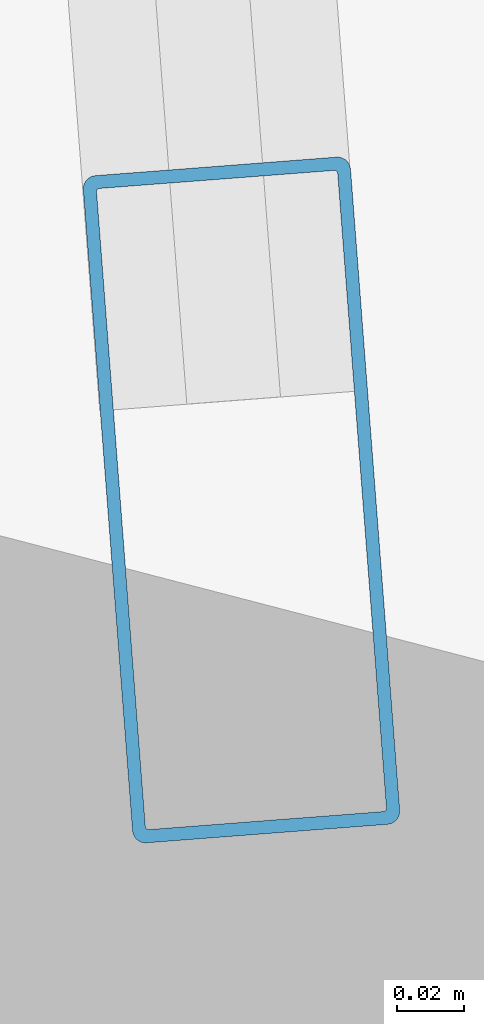
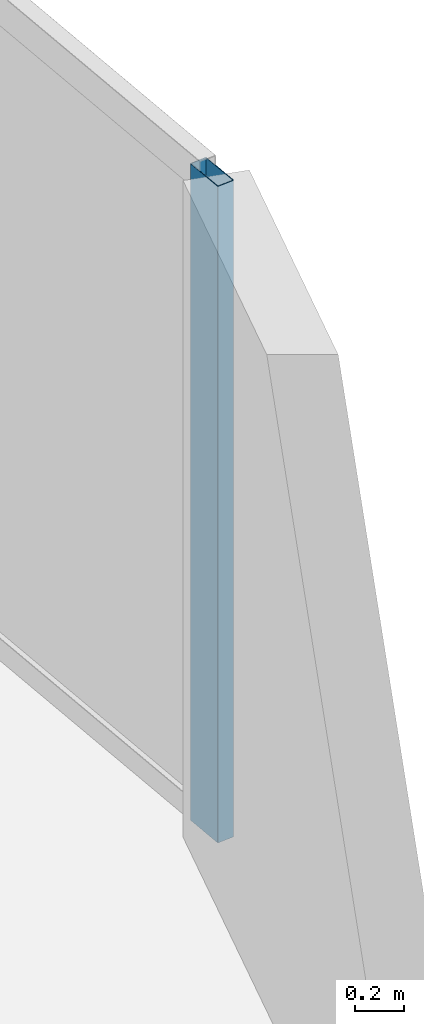
# One storey, part 10 of 22: 1 member, 1 element without a shape of its own.
"""IFC4 building model written with IfcOpenShell, lengths in metres."""

from ifc_helpers import new_model, si_unit, direction, frame, origin, origin_2d, place, context, subcontext, project, spatial, hollow_rectangle, extrude, material, layer, layer_set, material_profile, profile_set, type_object, element, aggregate, save


model = new_model("IFC4")

# Units and contexts
model_context = context("Model", 3, precision=1e-05, world=origin(), true_north=direction((0.0, 1.0)))
body_context = subcontext(model_context, "Body", "Model", "MODEL_VIEW")
ifc_project = project(units=[si_unit("LENGTHUNIT", "METRE"), si_unit("AREAUNIT", "SQUARE_METRE"), si_unit("VOLUMEUNIT", "CUBIC_METRE"), si_unit("PLANEANGLEUNIT", "RADIAN"), si_unit("MASSUNIT", "GRAM", prefix="KILO")], contexts=[model_context])

# Site, building, storey
site_placement = place(None, origin())
site = spatial("IfcSite", under=ifc_project, at=site_placement, CompositionType="ELEMENT")
building_placement = place(site_placement, origin())
building = spatial("IfcBuilding", under=site, at=building_placement, Name="Bramvorn Convention Spire", CompositionType="ELEMENT")
storey_placement = place(building_placement, frame((0.0, 0.0, 134.300048828125)))
storey = spatial("IfcBuildingStorey", under=building, at=storey_placement, Name="L33", CompositionType="ELEMENT", Elevation=134.300048828125)

# Curtain wall, member
ifc_material_1 = material(Name="Anodised Bronze Unitised Curtain Wall", Category="aluminium")
ifc_layer = layer(ifc_material_1, 0.179931640625)
ifc_layer_set = layer_set([ifc_layer], Name="Anodised Bronze Unitised Curtain Wall - CW-HTL-FRIT")
curtain_wall_type = type_object("IfcCurtainWallType", Name="CW-HTL-FRIT", PredefinedType="USERDEFINED", material=ifc_layer_set)
curtain_wall_placement = place(storey_placement, origin())
curtain_wall = element("IfcCurtainWall", 1, at=curtain_wall_placement, inside=storey, type_object=curtain_wall_type, Name="L33 fritted glass curtain wall 02", ObjectType="UNITISED CURTAIN WALL", PredefinedType="USERDEFINED")
ifc_material_2 = material(Name="Anodised Bronze Aluminium 6063-T6", Category="aluminium")
ifc_material_profile = material_profile(ifc_material_2, hollow_rectangle(XDim=0.080078125, YDim=0.199951171875, WallThickness=0.00390625, InnerFilletRadius=0.0009765625, OuterFilletRadius=0.00390625, at=origin_2d()))
ifc_profile_set = profile_set([ifc_material_profile], Name="Anodised Bronze Aluminium 6063-T6 - CWM80X200")
member_type = type_object("IfcMemberType", Name="CW-MUL-180", PredefinedType="MULLION", material=ifc_profile_set)
member_placement = place(storey_placement, frame((66.685791015625, 17.88720703125, 0.0), z_axis=(0.0, 0.0, 1.0), x_axis=(0.997063570546, 0.07657830169, 0.0)))
member = element("IfcMember", 2, at=member_placement, type_object=member_type, Name="CW2 mullion 2", PredefinedType="MULLION", context=body_context, shape_type="SweptSolid", body=[
    extrude(hollow_rectangle(XDim=0.080078125, YDim=0.199951171875, WallThickness=0.00390625, InnerFilletRadius=0.0009765625, OuterFilletRadius=0.00390625, at=origin_2d()), origin(), (0.0, 0.0, 1.0), 3.260009765625),
])
aggregate(curtain_wall, [member])

save(model, "model.ifc")
